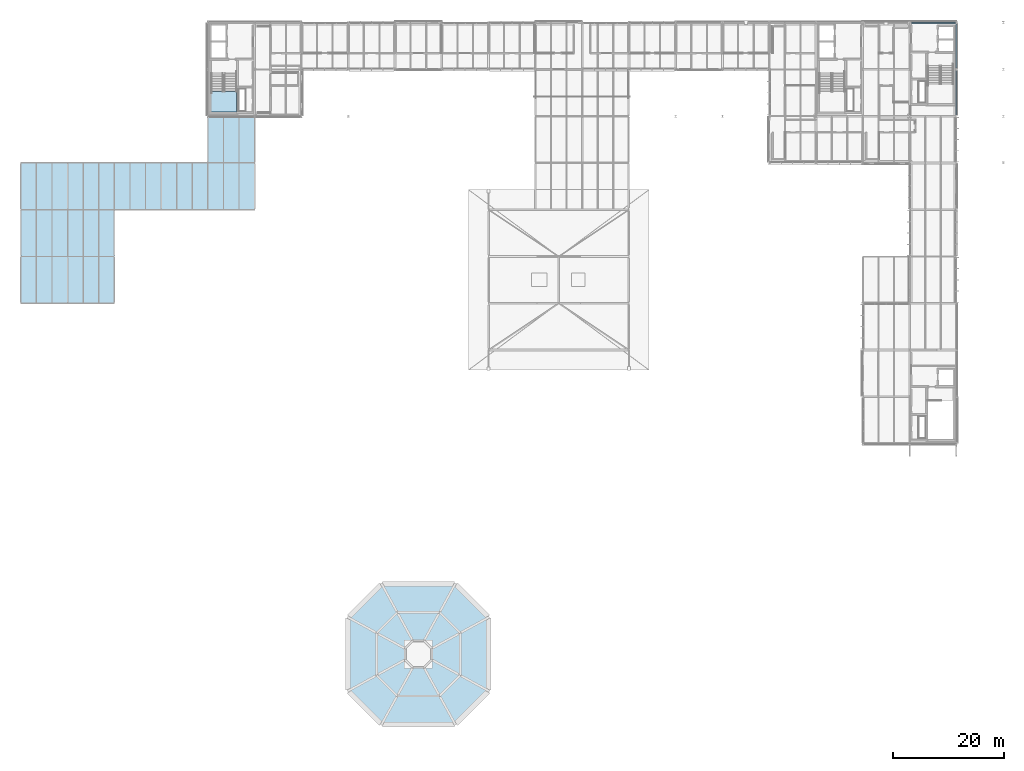
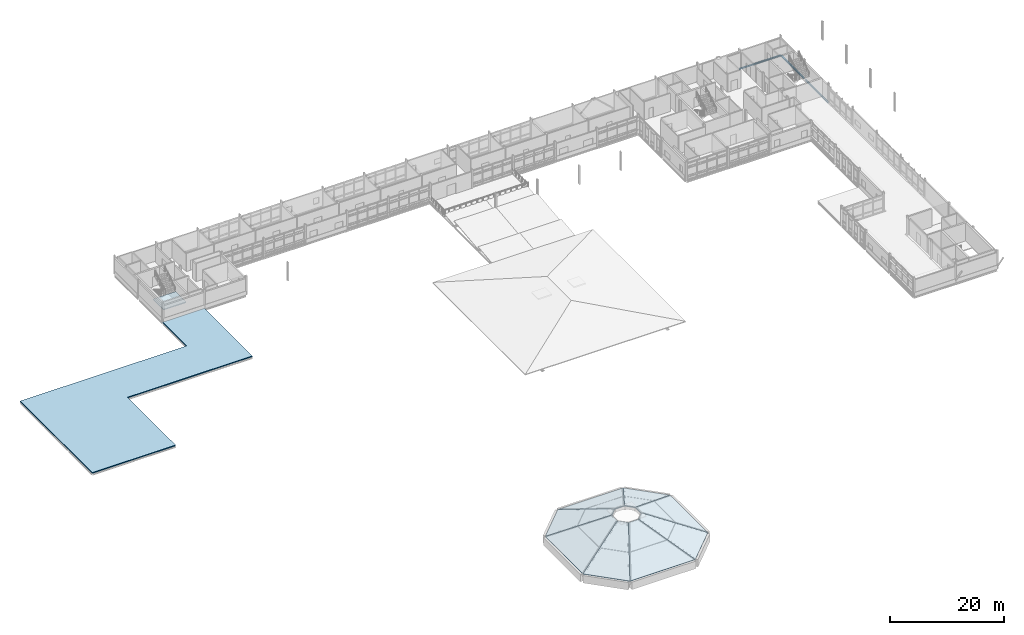
# One storey, part 44 of 66: 10 slabs, 3 beams, 2 elements without a shape of their own.
"""IFC4 building model written with IfcOpenShell, lengths in metres."""

from ifc_helpers import new_model, si_unit, direction, frame, origin, origin_2d, place, context, subcontext, project, spatial, polyline, i_section, outline, extrude, material, layer, layer_set, material_profile, profile_set, type_object, element, aggregate, save


model = new_model("IFC4")

# Units and contexts
model_context = context("Model", 3, precision=1e-05, world=origin(), true_north=direction((0.0, 1.0)))
body_context = subcontext(model_context, "Body", "Model", "MODEL_VIEW")
ifc_project = project(units=[si_unit("LENGTHUNIT", "METRE"), si_unit("AREAUNIT", "SQUARE_METRE"), si_unit("VOLUMEUNIT", "CUBIC_METRE"), si_unit("PLANEANGLEUNIT", "RADIAN"), si_unit("MASSUNIT", "GRAM", prefix="KILO")], contexts=[model_context])

# Site, building, storey
site_placement = place(None, origin())
site = spatial("IfcSite", under=ifc_project, at=site_placement, CompositionType="ELEMENT")
building_placement = place(site_placement, origin())
building = spatial("IfcBuilding", under=site, at=building_placement, Name="Mersafa Astral City Hall", CompositionType="ELEMENT")
storey_placement = place(building_placement, frame((0.0, 0.0, 22.050048828125)))
storey = spatial("IfcBuildingStorey", under=building, at=storey_placement, Name="L05", CompositionType="ELEMENT", Elevation=22.050048828125)

# Beams
ifc_material_1 = material(Name="Steel S355", Category="steel")
ifc_material_profile_1 = material_profile(ifc_material_1, i_section(OverallWidth=0.280029296875, OverallDepth=0.27001953125, WebThickness=0.008056640625, FlangeThickness=0.012939453125, FilletRadius=0.02392578125, at=origin_2d()), Name="HEA 280")
ifc_profile_set_1 = profile_set([ifc_material_profile_1], Name="Steel S355")
beam_type_1 = type_object("IfcBeamType", Name="STR-BM-SPANDREL-HEA280", PredefinedType="SPANDREL", material=ifc_profile_set_1)
beam_1_placement = place(storey_placement, frame((176.39990234375, 117.820068359375, -0.31494140625), z_axis=(0.0, 1.0, 0.0), x_axis=(-1.0, 0.0, 0.0)))
element("IfcBeam", 1, at=beam_1_placement, inside=storey, type_object=beam_type_1, Name="L05 Primary girder Y 21-14", PredefinedType="SPANDREL", context=body_context, shape_type="SweptSolid", body=[
    extrude(i_section(OverallWidth=0.280029296875, OverallDepth=0.27001953125, WebThickness=0.008056640625, FlangeThickness=0.012939453125, FilletRadius=0.02392578125, at=origin_2d()), origin(), (0.0, 0.0, 1.0), 7.9599609375),
])
ifc_material_profile_2 = material_profile(ifc_material_1, i_section(OverallWidth=0.159912109375, OverallDepth=0.330078125, WebThickness=0.007568359375, FlangeThickness=0.011474609375, FilletRadius=0.01806640625, at=origin_2d()), Name="IPE 330")
ifc_profile_set_2 = profile_set([ifc_material_profile_2], Name="Steel S355")
beam_type_2 = type_object("IfcBeamType", Name="STR-BM-SPANDREL-IPE330", PredefinedType="SPANDREL", material=ifc_profile_set_2)
beam_2_placement = place(storey_placement, frame((168.0029296875, 126.0, -0.344970703125), z_axis=(1.0, 0.0, 0.0), x_axis=(0.0, 1.0, 0.0)))
element("IfcBeam", 2, at=beam_2_placement, inside=storey, type_object=beam_type_2, Name="L05 Primary girder X 20-15", PredefinedType="SPANDREL", context=body_context, shape_type="SweptSolid", body=[
    extrude(i_section(OverallWidth=0.159912109375, OverallDepth=0.330078125, WebThickness=0.007568359375, FlangeThickness=0.011474609375, FilletRadius=0.01806640625, at=origin_2d()), origin(), (0.0, 0.0, 1.0), 8.39404296875),
])
ifc_material_profile_3 = material_profile(ifc_material_1, i_section(OverallWidth=0.169921875, OverallDepth=0.360107421875, WebThickness=0.008056640625, FlangeThickness=0.0126953125, FilletRadius=0.01806640625, at=origin_2d()), Name="IPE 360")
ifc_profile_set_3 = profile_set([ifc_material_profile_3], Name="Steel S355")
beam_type_3 = type_object("IfcBeamType", Name="STR-BM-SPANDREL-IPE360", PredefinedType="SPANDREL", material=ifc_profile_set_3)
beam_3_placement = place(storey_placement, frame((176.39990234375, 109.419921875, -0.360107421875), z_axis=(0.0, 1.0, 0.0), x_axis=(-1.0, 0.0, 0.0)))
element("IfcBeam", 3, at=beam_3_placement, inside=storey, type_object=beam_type_3, Name="L05 Primary girder Y 21-13", PredefinedType="SPANDREL", context=body_context, shape_type="SweptSolid", body=[
    extrude(i_section(OverallWidth=0.169921875, OverallDepth=0.360107421875, WebThickness=0.008056640625, FlangeThickness=0.0126953125, FilletRadius=0.01806640625, at=origin_2d()), origin(), (0.0, 0.0, 1.0), 7.9599609375),
])

# Stair, slab
ifc_material_2 = material(Name="Concrete C40/50", Category="concrete")
stair_type = type_object("IfcStairType", Name="STAIR", PredefinedType="HALF_TURN_STAIR", material=ifc_material_2)
stair_placement = place(storey_placement, origin())
stair = element("IfcStair", 4, at=stair_placement, inside=storey, type_object=stair_type, Name="L05 Protected Exit Stair ST3", PredefinedType="HALF_TURN_STAIR")
ifc_layer_1 = layer(ifc_material_2, 0.199951171875, Name="Concrete C40/50")
ifc_layer_set_1 = layer_set([ifc_layer_1], Name="Concrete C40/50 — STAIR-LANDING")
slab_type_1 = type_object("IfcSlabType", Name="STAIR-LANDING", PredefinedType="LANDING", material=ifc_layer_set_1)
slab_1_placement = place(storey_placement, frame((0.0, 0.0, 1.824951171875)))
slab_1 = element("IfcSlab", 5, at=slab_1_placement, type_object=slab_type_1, Name="ST3 landing 1", PredefinedType="LANDING", context=body_context, shape_type="SweptSolid", body=[
    extrude(outline(polyline([(42.580078125, 113.60009765625), (42.580078125, 109.949951171875), (47.139892578125, 109.949951171875), (47.139892578125, 113.60009765625), (42.580078125, 113.60009765625)])), origin(), (0.0, 0.0, 1.0), 0.199951171875),
])
aggregate(stair, [slab_1])

# Roof, slabs
roof_type = type_object("IfcRoofType", Name="ARCH-ROOF-DOME", PredefinedType="DOME_ROOF", material=ifc_material_2)
roof_placement = place(storey_placement, origin())
roof = element("IfcRoof", 6, at=roof_placement, inside=storey, type_object=roof_type, Name="Council Chamber octagonal coffered concrete dome shell roof", PredefinedType="DOME_ROOF")
ifc_layer_2 = layer(ifc_material_2, 0.159912109375, Name="Concrete C40/50")
ifc_layer_set_2 = layer_set([ifc_layer_2], Name="Concrete C40/50 — STR-SLAB-DOME-SHELL-160")
slab_type_2 = type_object("IfcSlabType", Name="STR-SLAB-DOME-SHELL-160", PredefinedType="ROOF", material=ifc_layer_set_2)
slab_2_placement = place(storey_placement, frame((73.199951171875, 0.0, 0.0), z_axis=(0.0, -0.396085298154, 0.918213720539), x_axis=(1.0, 0.0, 0.0)))
slab_2 = element("IfcSlab", 7, at=slab_2_placement, type_object=slab_type_2, Name="Chamber coffered concrete dome shell panel 1", PredefinedType="ROOF", context=body_context, shape_type="SweptSolid", body=[
    extrude(outline(polyline([(0.0, 0.0), (13.199951171875, 0.0), (7.60009765625, 11.108471746517202), (5.60009765625, 11.108471746517202), (0.0, 0.0)])), origin(), (0.0, 0.0, -1.0), 0.159912109375),
])
slab_3_placement = place(storey_placement, frame((86.39990234375, 0.0, 0.0), z_axis=(0.259110928282, -0.25910237987, 0.930444777292), x_axis=(0.707105214967, 0.70710834738, -5.624204e-06)))
slab_3 = element("IfcSlab", 8, at=slab_3_placement, type_object=slab_type_2, Name="Chamber coffered concrete dome shell panel 2", PredefinedType="ROOF", context=body_context, shape_type="SweptSolid", body=[
    extrude(outline(polyline([(0.0, 0.0), (8.485281374083556, 8.881784197001252e-16), (5.232693760970947, 12.007493998295539), (3.2527602466041103, 12.007333372364984), (0.0, 0.0)])), origin(), (0.0, 0.0, -1.0), 0.159912109375),
])
slab_4_placement = place(storey_placement, frame((92.39990234375, 6.0, 0.0), z_axis=(0.396085298154, 0.0, 0.918213720539), x_axis=(0.0, 1.0, 0.0)))
slab_4 = element("IfcSlab", 9, at=slab_4_placement, type_object=slab_type_2, Name="Chamber coffered concrete dome shell panel 3", PredefinedType="ROOF", context=body_context, shape_type="SweptSolid", body=[
    extrude(outline(polyline([(0.0, 0.0), (13.199951171875, 0.0), (7.60009765625, 11.108471746517202), (5.60009765625, 11.108471746517202), (0.0, 0.0)])), origin(), (0.0, 0.0, -1.0), 0.159912109375),
])
slab_5_placement = place(storey_placement, frame((92.39990234375, 19.199951171875, 0.0), z_axis=(0.259108387127, 0.259108387127, 0.930443812081), x_axis=(-0.707106781187, 0.707106781187, 0.0)))
slab_5 = element("IfcSlab", 10, at=slab_5_placement, type_object=slab_type_2, Name="Chamber coffered concrete dome shell panel 4", PredefinedType="ROOF", context=body_context, shape_type="SweptSolid", body=[
    extrude(outline(polyline([(0.0, 0.0), (8.485281374238571, 0.0), (5.232521127383852, 12.007333372406643), (3.252760246854719, 12.007333372406642), (0.0, 0.0)])), origin(), (0.0, 0.0, -1.0), 0.159912109375),
])
slab_6_placement = place(storey_placement, frame((86.39990234375, 25.199951171875, 0.0), z_axis=(0.0, 0.396085298154, 0.918213720539), x_axis=(-1.0, 0.0, 0.0)))
slab_6 = element("IfcSlab", 11, at=slab_6_placement, type_object=slab_type_2, Name="Chamber coffered concrete dome shell panel 5", PredefinedType="ROOF", context=body_context, shape_type="SweptSolid", body=[
    extrude(outline(polyline([(0.0, 0.0), (13.199951171875, 0.0), (7.599853515625, 11.108471746517202), (5.599853515625, 11.108471746517202), (0.0, 0.0)])), origin(), (0.0, 0.0, -1.0), 0.159912109375),
])
slab_7_placement = place(storey_placement, frame((73.199951171875, 25.199951171875, 0.0), z_axis=(-0.25910237987, 0.259110928282, 0.930444777292), x_axis=(-0.70710834738, -0.707105214967, 5.624204e-06)))
slab_7 = element("IfcSlab", 12, at=slab_7_placement, type_object=slab_type_2, Name="Chamber coffered concrete dome shell panel 6", PredefinedType="ROOF", context=body_context, shape_type="SweptSolid", body=[
    extrude(outline(polyline([(0.0, 0.0), (8.485281374083556, -8.881784197001252e-16), (5.232521127479445, 12.007333372364984), (3.2525876131126075, 12.007493998295539), (0.0, 0.0)])), origin(), (0.0, 0.0, -1.0), 0.159912109375),
])
slab_8_placement = place(storey_placement, frame((67.199951171875, 19.199951171875, 0.0), z_axis=(-0.396085298154, 0.0, 0.918213720539), x_axis=(0.0, -1.0, 0.0)))
slab_8 = element("IfcSlab", 13, at=slab_8_placement, type_object=slab_type_2, Name="Chamber coffered concrete dome shell panel 7", PredefinedType="ROOF", context=body_context, shape_type="SweptSolid", body=[
    extrude(outline(polyline([(0.0, 0.0), (13.199951171875, 0.0), (7.599853515625, 11.108471746517202), (5.599853515625, 11.108471746517202), (0.0, 0.0)])), origin(), (0.0, 0.0, -1.0), 0.159912109375),
])
slab_9_placement = place(storey_placement, frame((67.199951171875, 6.0, 0.0), z_axis=(-0.259104920998, -0.259104920998, 0.93044574255), x_axis=(0.707106781187, -0.707106781187, 0.0)))
slab_9 = element("IfcSlab", 14, at=slab_9_placement, type_object=slab_type_2, Name="Chamber coffered concrete dome shell panel 8", PredefinedType="ROOF", context=body_context, shape_type="SweptSolid", body=[
    extrude(outline(polyline([(0.0, 0.0), (8.485281374238571, 0.0), (5.232693760875352, 12.007493998337198), (3.2525876133632186, 12.007493998337198), (0.0, 0.0)])), origin(), (0.0, 0.0, -1.0), 0.159912109375),
])
aggregate(roof, [slab_2, slab_3, slab_4, slab_5, slab_6, slab_7, slab_8, slab_9])

# Slab
ifc_layer_3 = layer(ifc_material_2, 0.199951171875, Name="Concrete C40/50")
ifc_layer_set_3 = layer_set([ifc_layer_3], Name="Concrete C40/50 — STR-SLAB-ROOF-200")
slab_type_3 = type_object("IfcSlabType", Name="STR-SLAB-ROOF-200", PredefinedType="ROOF", material=ifc_layer_set_3)
slab_10_placement = place(storey_placement, frame((0.0, 0.0, -0.199951171875)))
element("IfcSlab", 15, at=slab_10_placement, inside=storey, type_object=slab_type_3, Name="L05 Flat structural wing roof slab 1", PredefinedType="ROOF", context=body_context, shape_type="SweptSolid", body=[
    extrude(outline(polyline([(50.39990234375, 100.800048828125), (50.39990234375, 92.39990234375), (42.0, 92.39990234375), (33.60009765625, 92.39990234375), (25.199951171875, 92.39990234375), (25.199951171875, 84.0), (25.199951171875, 75.60009765625), (16.800048828125, 75.60009765625), (8.39990234375, 75.60009765625), (8.39990234375, 84.0), (8.39990234375, 92.39990234375), (8.39990234375, 100.800048828125), (16.800048828125, 100.800048828125), (25.199951171875, 100.800048828125), (33.60009765625, 100.800048828125), (42.0, 100.800048828125), (42.0, 109.19189453125), (50.39990234375, 109.19189453125), (50.39990234375, 100.800048828125)])), origin(), (0.0, 0.0, 1.0), 0.199951171875),
])

save(model, "model.ifc")
